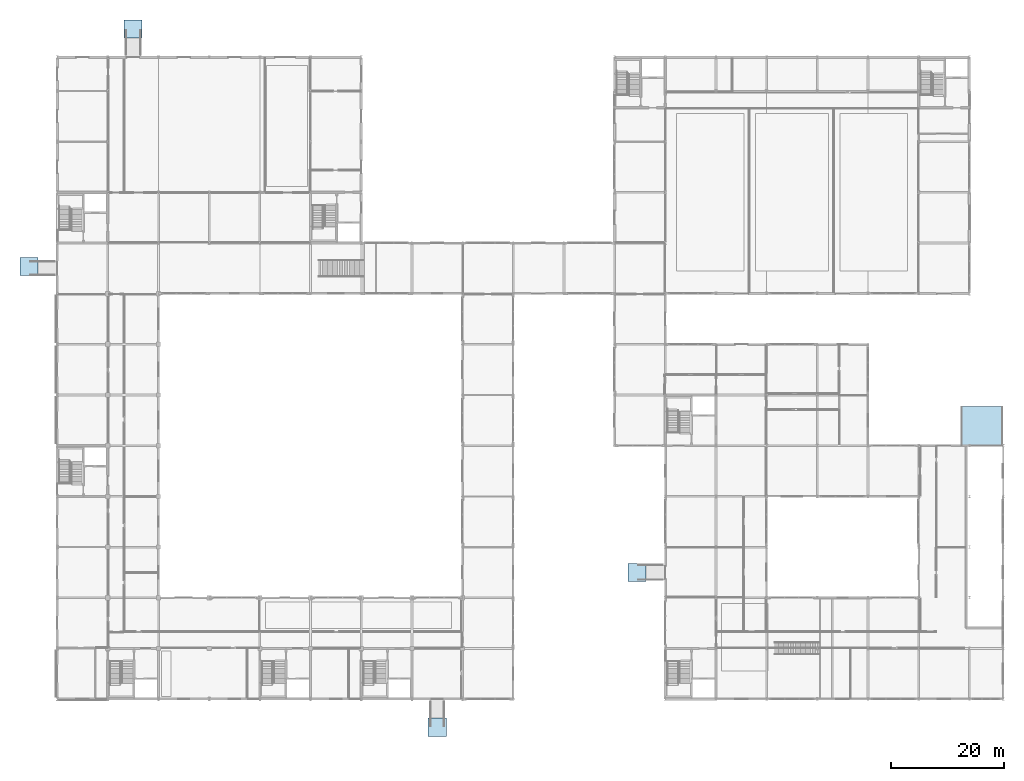
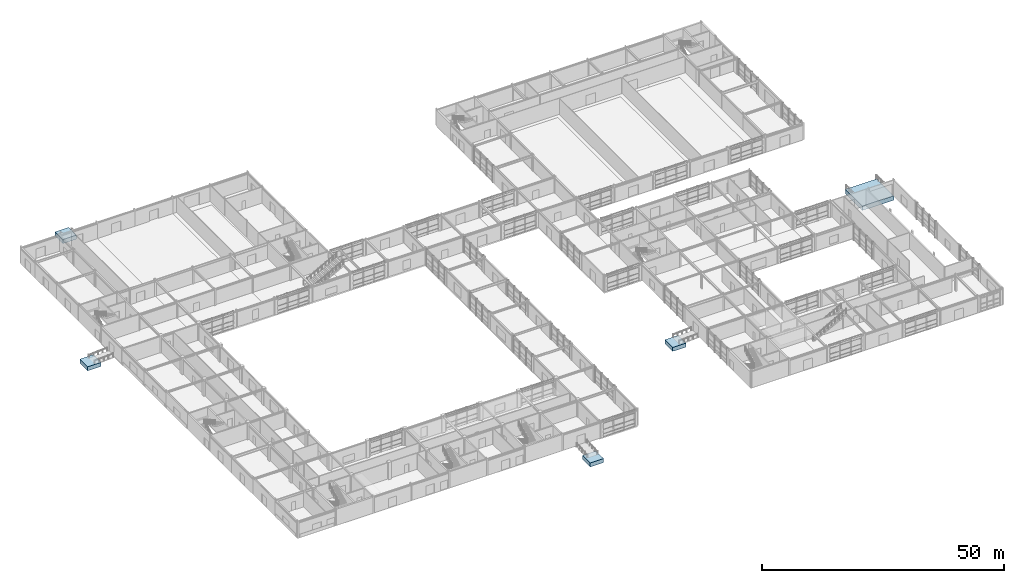
# One storey, part 1 of 72: 5 footings.
"""IFC4 building model written with IfcOpenShell, lengths in metres."""

from ifc_helpers import new_model, si_unit, direction, frame, origin, origin_2d, place, context, subcontext, project, spatial, rectangle, extrude, material, type_object, element, save


model = new_model("IFC4")

# Units and contexts
model_context = context("Model", 3, precision=1e-05, world=origin(), true_north=direction((0.0, 1.0)))
body_context = subcontext(model_context, "Body", "Model", "MODEL_VIEW")
ifc_project = project(units=[si_unit("LENGTHUNIT", "METRE"), si_unit("AREAUNIT", "SQUARE_METRE"), si_unit("VOLUMEUNIT", "CUBIC_METRE"), si_unit("PLANEANGLEUNIT", "RADIAN"), si_unit("MASSUNIT", "GRAM", prefix="KILO")], contexts=[model_context])

# Site, building, storey
site_placement = place(None, origin())
site = spatial("IfcSite", under=ifc_project, at=site_placement, CompositionType="ELEMENT")
building_placement = place(site_placement, origin())
building = spatial("IfcBuilding", under=site, at=building_placement, Name="Palais des Congres Ocreval", CompositionType="ELEMENT")
storey_placement = place(building_placement, origin())
storey = spatial("IfcBuildingStorey", under=building, at=storey_placement, Name="L00", CompositionType="ELEMENT", Elevation=0.0)

# Footings
ifc_material = material(Name="Concrete C35/45", Category="concrete")
footing_type_1 = type_object("IfcFootingType", Name="Threshold Pad Footing 3200x3200x1000 Concrete C35/45", PredefinedType="PAD_FOOTING", material=ifc_material)
for number, where, z_axis, x_axis, name in (
    (1, (-5.0, 76.800048828125, -1.280029296875), (0.0, 0.0, 1.0), (1.0, 0.0, 0.0), "West Forecourt Accessible PMR Ramp R3 Threshold Foundation Pad"),
    (2, (67.5, -5.0, -1.280029296875), (0.0, 0.0, 1.0), (1.0, 0.0, 0.0), "South Crossroads Accessible PMR Ramp R4 Threshold Foundation Pad"),
    (3, (103.0, 22.5, -1.280029296875), (0.0, 0.0, 1.0), (1.0, 0.0, 0.0), "Cour d Ocre Cloister Accessible PMR Ramp R5 Threshold Foundation Pad"),
    (4, (13.5, 119.0, -1.280029296875), (0.0, 0.0, 1.0), (1.0, 0.0, 0.0), "North Congress Parvis Accessible PMR Ramp R6 Threshold Foundation Pad"),
):
    element("IfcFooting", number, at=place(storey_placement, frame(where, z_axis=z_axis, x_axis=x_axis)), inside=storey, type_object=footing_type_1, Name=name, PredefinedType="PAD_FOOTING", context=body_context, shape_type="SweptSolid", body=[
        extrude(rectangle(XDim=3.199951171875, YDim=3.199951171875, at=origin_2d()), origin(), (0.0, 0.0, 1.0), 1.0),
    ])
footing_type_2 = type_object("IfcFootingType", Name="Vehicle Ramp Apron Footing 7500x7000x1100 Concrete C35/45", PredefinedType="PAD_FOOTING", material=ifc_material)
footing_placement = place(storey_placement, frame((164.25, 48.5, -1.10009765625), z_axis=(0.0, 0.0, 1.0), x_axis=(1.0, 0.0, 0.0)))
element("IfcFooting", 5, at=footing_placement, inside=storey, type_object=footing_type_2, Name="Vehicle Ramp Exterior Foundation Apron", PredefinedType="PAD_FOOTING", context=body_context, shape_type="SweptSolid", body=[
    extrude(rectangle(XDim=7.5, YDim=7.0, at=origin_2d()), origin(), (0.0, 0.0, 1.0), 1.10009765625),
])

save(model, "model.ifc")
